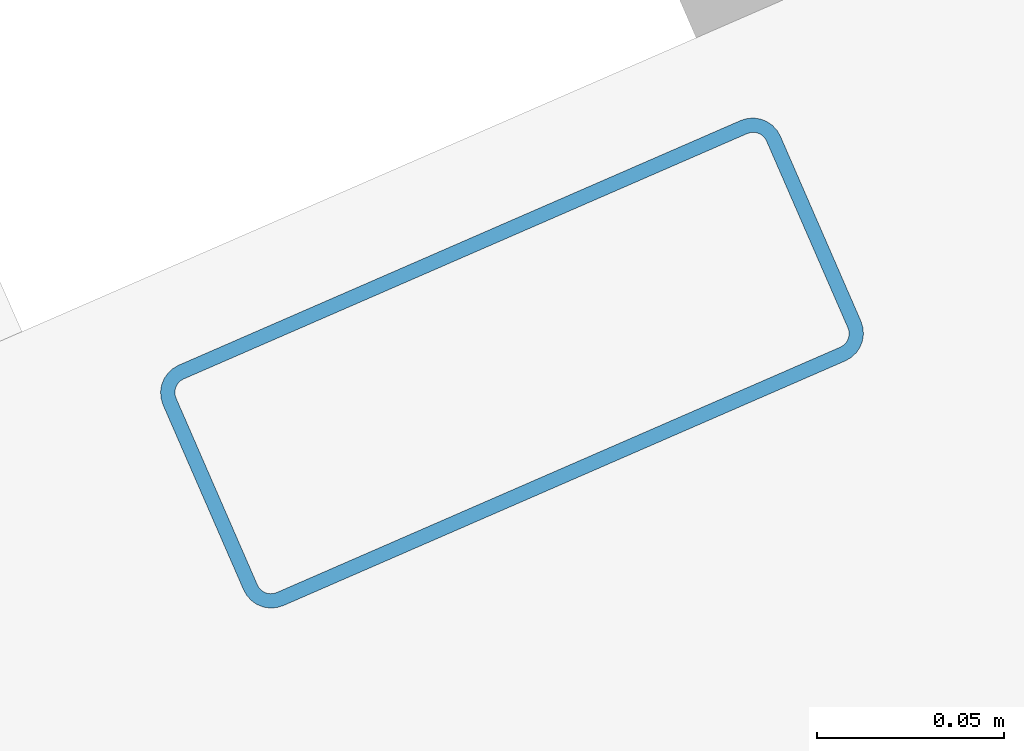
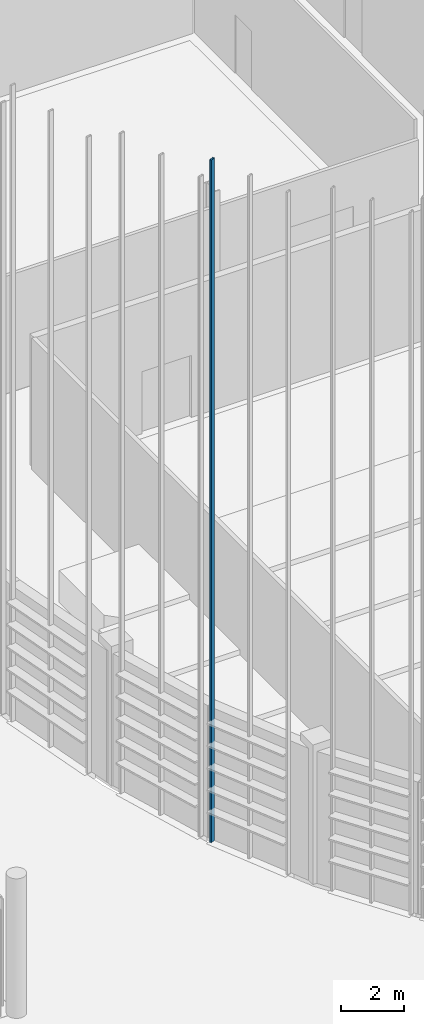
# One storey, part 71 of 372: 1 member.
"""IFC4 building model written with IfcOpenShell, lengths in metres."""

from ifc_helpers import new_model, si_unit, direction, frame, origin, origin_2d, place, context, subcontext, project, spatial, hollow_rectangle, extrude, material, material_profile, profile_set, type_object, element, save


model = new_model("IFC4")

# Units and contexts
model_context = context("Model", 3, precision=1e-05, world=origin(), true_north=direction((0.0, 1.0)))
body_context = subcontext(model_context, "Body", "Model", "MODEL_VIEW")
ifc_project = project(units=[si_unit("LENGTHUNIT", "METRE"), si_unit("AREAUNIT", "SQUARE_METRE"), si_unit("VOLUMEUNIT", "CUBIC_METRE"), si_unit("PLANEANGLEUNIT", "RADIAN"), si_unit("MASSUNIT", "GRAM", prefix="KILO")], contexts=[model_context])

# Site, building, storey
site_placement = place(None, origin())
site = spatial("IfcSite", under=ifc_project, at=site_placement, CompositionType="ELEMENT")
building_placement = place(site_placement, origin())
building = spatial("IfcBuilding", under=site, at=building_placement, Name="Kaelora Sail Theatre", CompositionType="ELEMENT")
storey_placement = place(building_placement, origin())
storey = spatial("IfcBuildingStorey", under=building, at=storey_placement, Name="L00", CompositionType="ELEMENT", Elevation=0.0)

# Member
ifc_material = material(Name="Anodised aluminium 6063-T6", Category="aluminium")
ifc_material_profile = material_profile(ifc_material, hollow_rectangle(XDim=0.070068359375, YDim=0.179931640625, WallThickness=0.00390625, InnerFilletRadius=0.00390625, OuterFilletRadius=0.008056640625, at=origin_2d()), Name="ALU-MULL 70x180x4")
ifc_profile_set = profile_set([ifc_material_profile], Name="Anodised aluminium 6063-T6")
member_type = type_object("IfcMemberType", Name="ARC-MEM-PST-160", PredefinedType="POST", material=ifc_profile_set)
member_placement = place(storey_placement, frame((27.80029296875, 36.35986328125, 0.0), z_axis=(0.0, 0.0, 1.0), x_axis=(-0.399229185776, 0.916851164162, 0.0)))
element("IfcMember", 1, at=member_placement, inside=storey, type_object=member_type, Name="Main Theatre Sail Drum solar louvre vertical support post C17-3", PredefinedType="POST", context=body_context, shape_type="SweptSolid", body=[
    extrude(hollow_rectangle(XDim=0.070068359375, YDim=0.179931640625, WallThickness=0.00390625, InnerFilletRadius=0.00390625, OuterFilletRadius=0.008056640625, at=origin_2d()), origin(), (0.0, 0.0, 1.0), 26.402099609375),
])

save(model, "model.ifc")
